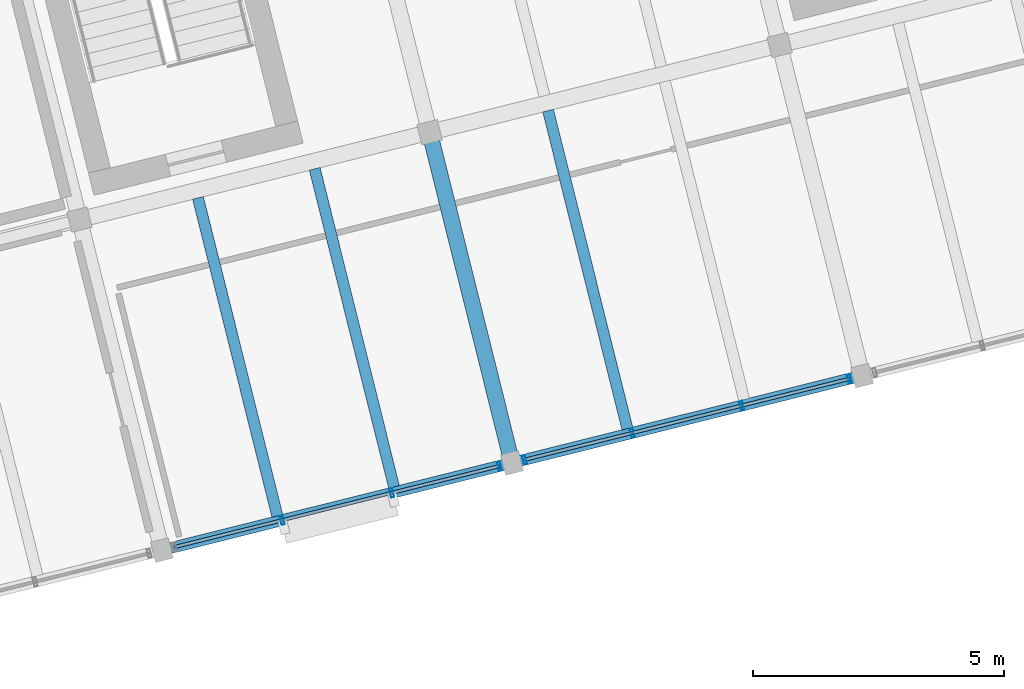
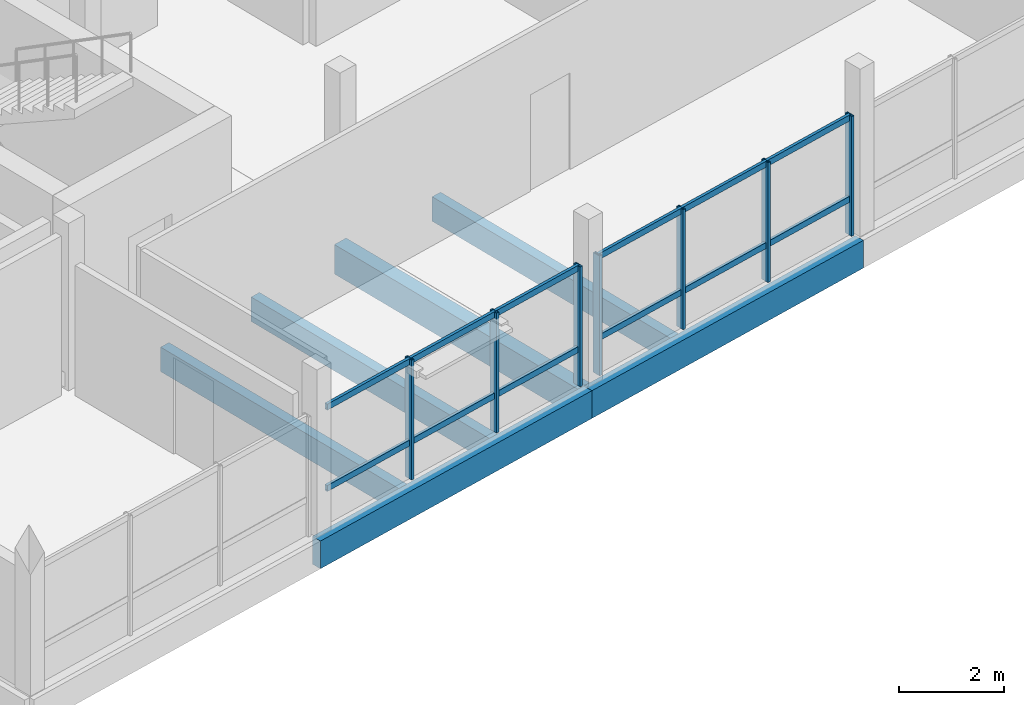
# One storey, part 4 of 28: 19 members, 6 beams, 2 elements without a shape of their own.
"""IFC4 building model written with IfcOpenShell, lengths in metres."""

import ifcopenshell
import ifcopenshell.guid

model = None  # the IFC model being written
_history = None  # IfcOwnerHistory: only IFC2X3 demands one
_inside = {}  # id of a spatial element -> (the spatial element, [elements in it])
_under = {}  # id of a project, library or spatial element -> (it, [spatial elements below it])
_declared = {}  # id of a project -> (the project, [libraries it declares])
_typed = {}  # id of a type object -> (the type object, [elements of that type])
_made_of = {}  # id of a material, layer set ... -> (it, [elements and type objects made of it])


def new_model(schema):
    """Start an empty IFC model of exactly this schema.

    Asked for "IFC4X3", IfcOpenShell would pick the latest addendum, in which some entities
    have other attributes; the version numbers below select the first issue.
    IFC2X3 requires an IfcOwnerHistory on every rooted entity: one is made here for all.
    """
    global model, _history
    if schema == "IFC4X3":
        model = ifcopenshell.file(schema_version=(4, 3, 0, 0))
    else:
        model = ifcopenshell.file(schema=schema)
    _inside.clear()
    _under.clear()
    _declared.clear()
    _typed.clear()
    _made_of.clear()
    _history = None
    if model.schema == "IFC2X3":
        org = make("IfcOrganization", Name="unknown")
        user = make(
            "IfcPersonAndOrganization",
            ThePerson=make("IfcPerson", FamilyName="unknown"),
            TheOrganization=org,
        )
        app = make(
            "IfcApplication",
            ApplicationDeveloper=org,
            Version="unknown",
            ApplicationFullName="unknown",
            ApplicationIdentifier="unknown",
        )
        _history = make(
            "IfcOwnerHistory",
            OwningUser=user,
            OwningApplication=app,
            ChangeAction="ADDED",
            CreationDate=0,
        )
    return model


def make(cls, **values):
    """One entity of the class cls with the attributes given. An attribute that is None is left unset."""
    return model.create_entity(
        cls, **{name: value for name, value in values.items() if value is not None}
    )


def rooted(cls, **values):
    """An entity with a GlobalId (a new one), such as an element, a storey or a relation."""
    return make(cls, GlobalId=ifcopenshell.guid.new(), OwnerHistory=_history, **values)


def si_unit(unit_type, name, prefix=None):
    """IfcSIUnit, for example si_unit("LENGTHUNIT", "METRE", prefix="MILLI")."""
    return make("IfcSIUnit", UnitType=unit_type, Prefix=prefix, Name=name)


def assignment(units):
    """IfcUnitAssignment: the units of a project."""
    return None if units is None else make("IfcUnitAssignment", Units=units)


def point(xyz):
    """IfcCartesianPoint."""
    return None if xyz is None else make("IfcCartesianPoint", Coordinates=xyz)


def direction(xyz):
    """IfcDirection."""
    return None if xyz is None else make("IfcDirection", DirectionRatios=xyz)


def frame(location, z_axis=None, x_axis=None):
    """IfcAxis2Placement3D, a coordinate frame: its origin and axes. An axis left out is left unset."""
    return make(
        "IfcAxis2Placement3D",
        Location=point(location),
        Axis=direction(z_axis),
        RefDirection=direction(x_axis),
    )


def frame_2d(location, x_axis=None):
    """IfcAxis2Placement2D, a coordinate frame in the plane: its origin and x axis."""
    return make(
        "IfcAxis2Placement2D", Location=point(location), RefDirection=direction(x_axis)
    )


def origin():
    """The frame at (0, 0, 0) with its axes left unset."""
    return frame((0.0, 0.0, 0.0))


def origin_2d():
    """The frame at (0, 0) in the plane with its x axis left unset."""
    return frame_2d((0.0, 0.0))


def place(relative_to, where):
    """IfcLocalPlacement: puts the frame where relative to a parent placement (None: the world)."""
    return make(
        "IfcLocalPlacement", PlacementRelTo=relative_to, RelativePlacement=where
    )


def context(
    kind, dimensions, precision=None, world=None, true_north=None, identifier=None
):
    """IfcGeometricRepresentationContext, for example the 3D "Model" context."""
    return make(
        "IfcGeometricRepresentationContext",
        ContextIdentifier=identifier,
        ContextType=kind,
        CoordinateSpaceDimension=dimensions,
        Precision=precision,
        WorldCoordinateSystem=world,
        TrueNorth=true_north,
    )


def subcontext(parent, identifier, kind, view, scale=None):
    """IfcGeometricRepresentationSubContext, for example "Body" below "Model"."""
    return make(
        "IfcGeometricRepresentationSubContext",
        ContextIdentifier=identifier,
        ContextType=kind,
        ParentContext=parent,
        TargetScale=scale,
        TargetView=view,
    )


def project(units=None, contexts=None):
    """IfcProject with its units and contexts."""
    return rooted(
        "IfcProject",
        Name="project",
        RepresentationContexts=contexts,
        UnitsInContext=assignment(units),
    )


def spatial(cls, under=None, at=None, **own):
    """A site, building, storey or space (cls), placed at a placement, below another one or the project."""
    s = rooted(cls, ObjectPlacement=at, **own)
    if under is not None:
        _under.setdefault(under.id(), (under, []))[1].append(s)
    return s


def profile(cls, at=None, kind="AREA", **sizes):
    """A parametric profile (cls). Its sizes go by their IFC names, for example OverallWidth=200.0."""
    return make(cls, ProfileType=kind, Position=at, **sizes)


def rectangle(**sizes):
    """IfcRectangleProfileDef."""
    return profile("IfcRectangleProfileDef", **sizes)


def hollow_rectangle(**sizes):
    """IfcRectangleHollowProfileDef."""
    return profile("IfcRectangleHollowProfileDef", **sizes)


def extrude(swept, where, along, depth):
    """IfcExtrudedAreaSolid: the profile swept, set in the frame where, extruded along a direction by depth."""
    return make(
        "IfcExtrudedAreaSolid",
        SweptArea=swept,
        Position=where,
        ExtrudedDirection=direction(along),
        Depth=depth,
    )


def shape(context_of_items, identifier, shape_type, items):
    """IfcShapeRepresentation: the items that make up one representation, for example the "Body"."""
    return make(
        "IfcShapeRepresentation",
        ContextOfItems=context_of_items,
        RepresentationIdentifier=identifier,
        RepresentationType=shape_type,
        Items=items,
    )


def material(Name=None, Category=None):
    """IfcMaterial."""
    return make("IfcMaterial", Name=Name, Category=Category)


def layer(
    of_material, thickness, ventilated=None, Name=None, Category=None, Priority=None
):
    """IfcMaterialLayer: one layer of a wall or slab, of a material (None: an air gap)."""
    return make(
        "IfcMaterialLayer",
        Material=of_material,
        LayerThickness=thickness,
        IsVentilated=ventilated,
        Name=Name,
        Category=Category,
        Priority=Priority,
    )


def layer_set(layers, Name=None):
    """IfcMaterialLayerSet."""
    return make("IfcMaterialLayerSet", MaterialLayers=layers, LayerSetName=Name)


def material_profile(
    of_material, cross_section, Name=None, Category=None, Priority=None
):
    """IfcMaterialProfile: a cross section and its material."""
    return make(
        "IfcMaterialProfile",
        Name=Name,
        Material=of_material,
        Profile=cross_section,
        Priority=Priority,
        Category=Category,
    )


def profile_set(profiles, Name=None, composite=None):
    """IfcMaterialProfileSet."""
    return make(
        "IfcMaterialProfileSet",
        Name=Name,
        MaterialProfiles=profiles,
        CompositeProfile=composite,
    )


def made_of(thing, what):
    """Note that an element or type object is made of a material, layer set ...; save() writes the relation."""
    if what is not None:
        _made_of.setdefault(what.id(), (what, []))[1].append(thing)
    return thing


def type_object(cls, material=None, **own):
    """A type object (cls), such as IfcWallType, which elements share."""
    return made_of(rooted(cls, **own), material)


def element(
    cls,
    number,
    at=None,
    inside=None,
    cuts=None,
    type_object=None,
    material=None,
    context=None,
    identifier="Body",
    shape_type=None,
    held_by="IfcProductDefinitionShape",
    body=None,
    shapes=None,
    **own,
):
    """One element of the class cls, such as IfcWall. Its Tag is "e" and its number.

    at: its placement. inside: the storey or other place that contains it. cuts: it is an
    opening in that element (IfcRelVoidsElement). A single representation is given by context,
    identifier, shape_type and body (its items); several are given by shapes. held_by: the class
    of the entity that holds the representations. save() writes the other relations.
    """
    e = rooted(cls, Tag="e%d" % number, ObjectPlacement=at, **own)
    if body is not None:
        shapes = [shape(context, identifier, shape_type, body)]
    if shapes is not None:
        e.Representation = make(held_by, Representations=shapes)
    if inside is not None:
        _inside.setdefault(inside.id(), (inside, []))[1].append(e)
    if cuts is not None:
        rooted(
            "IfcRelVoidsElement", RelatingBuildingElement=cuts, RelatedOpeningElement=e
        )
    if type_object is not None:
        _typed.setdefault(type_object.id(), (type_object, []))[1].append(e)
    return made_of(e, material)


def aggregate(whole, parts):
    """IfcRelAggregates: a whole, such as a stair, and the parts it consists of."""
    return rooted("IfcRelAggregates", RelatingObject=whole, RelatedObjects=parts)


def save(model, path):
    """Write the relations noted so far, then the file.

    IfcRelAggregates (storeys below a building ...), IfcRelContainedInSpatialStructure (elements
    in a storey), IfcRelDefinesByType, IfcRelAssociatesMaterial and IfcRelDeclares: one each for
    every whole, place, type object, material and project.
    """
    for whole, parts in _under.values():
        aggregate(whole, parts)
    for where, things in _inside.values():
        rooted(
            "IfcRelContainedInSpatialStructure",
            RelatedElements=things,
            RelatingStructure=where,
        )
    for kind, things in _typed.values():
        rooted("IfcRelDefinesByType", RelatedObjects=things, RelatingType=kind)
    for what, things in _made_of.values():
        rooted("IfcRelAssociatesMaterial", RelatedObjects=things, RelatingMaterial=what)
    for by, libraries in _declared.values():
        rooted("IfcRelDeclares", RelatingContext=by, RelatedDefinitions=libraries)
    model.write(path)


model = new_model("IFC4")

# Units and contexts
model_context = context("Model", 3, precision=1e-05, world=origin(), true_north=direction((0.0, 1.0)))
body_context = subcontext(model_context, "Body", "Model", "MODEL_VIEW")
ifc_project = project(units=[si_unit("LENGTHUNIT", "METRE"), si_unit("AREAUNIT", "SQUARE_METRE"), si_unit("VOLUMEUNIT", "CUBIC_METRE"), si_unit("PLANEANGLEUNIT", "RADIAN"), si_unit("MASSUNIT", "GRAM", prefix="KILO")], contexts=[model_context])

# Site, building, storey
site_placement = place(None, origin())
site = spatial("IfcSite", under=ifc_project, at=site_placement, CompositionType="ELEMENT")
building_placement = place(site_placement, origin())
building = spatial("IfcBuilding", under=site, at=building_placement, Name="Meriwether Solvik Hall", CompositionType="ELEMENT")
storey_placement = place(building_placement, frame((0.0, 0.0, 30.0)))
storey = spatial("IfcBuildingStorey", under=building, at=storey_placement, Name="L07", CompositionType="ELEMENT", Elevation=30.0)

# Beams
ifc_material_1 = material(Name="Glulam Douglas-Fir 24F-V8 GL28h", Category="wood")
ifc_material_profile_1 = material_profile(ifc_material_1, rectangle(XDim=0.221923828125, YDim=0.64501953125, at=origin_2d()), Name="GLB-222X645")
ifc_profile_set_1 = profile_set([ifc_material_profile_1], Name="Glulam Douglas-Fir 24F-V8 GL28h")
beam_type_1 = type_object("IfcBeamType", Name="BM-GL-222X645", PredefinedType="SPANDREL", material=ifc_profile_set_1)
for number, where, z_axis, x_axis, name in (
    (1, (75.974365234375, 43.03857421875, -0.54248046875), (0.970291911955, 0.241937193493, 0.0), (-0.241937193493, 0.970291911955, 0.0), "Tower Girder TA:T2-T3 (L07)"),
    (2, (82.96044921875, 44.780517578125, -0.54248046875), (0.970299871507, 0.241905269381, 0.0), (-0.241905269381, 0.970299871507, 0.0), "Tower Girder TA:T3-T4 (L07)"),
):
    element("IfcBeam", number, at=place(storey_placement, frame(where, z_axis=z_axis, x_axis=x_axis)), inside=storey, type_object=beam_type_1, Name=name, PredefinedType="SPANDREL", context=body_context, shape_type="SweptSolid", body=[
        extrude(rectangle(XDim=0.221923828125, YDim=0.64501953125, at=origin_2d()), origin(), (0.0, 0.0, 1.0), 7.199951171875),
    ])
ifc_material_2 = material(Name="Glulam Douglas-Fir 24F-V8 GL28h", Category="wood")
ifc_material_profile_2 = material_profile(ifc_material_2, rectangle(XDim=0.31494140625, YDim=0.68505859375, at=origin_2d()), Name="GLB-315X685")
ifc_profile_set_2 = profile_set([ifc_material_profile_2], Name="Glulam Douglas-Fir 24F-V8 GL28h")
beam_type_2 = type_object("IfcBeamType", Name="BM-GL-315X685", PredefinedType="BEAM", material=ifc_profile_set_2)
beam_placement = place(storey_placement, frame((82.96044921875, 44.780517578125, -0.5625), z_axis=(-0.241918877831, 0.970296478685, 0.0), x_axis=(-0.970296478685, -0.241918877831, 0.0)))
element("IfcBeam", 3, at=beam_placement, inside=storey, type_object=beam_type_2, Name="Tower Girder T3:TA-TB (L07)", PredefinedType="BEAM", context=body_context, shape_type="SweptSolid", body=[
    extrude(rectangle(XDim=0.31494140625, YDim=0.68505859375, at=origin_2d()), origin(), (0.0, 0.0, 1.0), 6.7998046875),
])

# Curtain wall, members
ifc_material_3 = material(Name="Thermally Broken Anodised Aluminium 6063-T6 and Low-E Glass", Category="aluminium")
ifc_layer_1 = layer(ifc_material_3, 0.179931640625)
ifc_layer_set_1 = layer_set([ifc_layer_1], Name="Thermally Broken Anodised Aluminium 6063-T6 and Low-E Glass")
curtain_wall_type_1 = type_object("IfcCurtainWallType", Name="CW-UNIT-F", PredefinedType="USERDEFINED", material=ifc_layer_set_1)
curtain_wall_1_placement = place(storey_placement, origin())
curtain_wall_1 = element("IfcCurtainWall", 4, at=curtain_wall_1_placement, inside=storey, type_object=curtain_wall_type_1, Name="Curtain Wall E0_B1 (L07)", ObjectType="UNITISED CURTAIN WALL", PredefinedType="USERDEFINED")
ifc_material_4 = material(Name="Anodised Aluminium 6063-T6", Category="aluminium")
ifc_material_profile_3 = material_profile(ifc_material_4, hollow_rectangle(XDim=0.06494140625, YDim=0.179931640625, WallThickness=0.00439453125, at=origin_2d()), Name="CWM-65X180")
ifc_profile_set_3 = profile_set([ifc_material_profile_3], Name="Anodised Aluminium 6063-T6")
member_type_1 = type_object("IfcMemberType", Name="CW-MUL-65X180", PredefinedType="MULLION", material=ifc_profile_set_3)
member_1_placement = place(storey_placement, frame((82.7080078125, 44.717529296875, 0.0), z_axis=(0.0, 0.0, 1.0), x_axis=(-0.970295738259, -0.241921847539, 0.0)))
member_1 = element("IfcMember", 5, at=member_1_placement, type_object=member_type_1, Name="Curtain Wall Mullion 1", PredefinedType="MULLION", context=body_context, shape_type="SweptSolid", body=[
    extrude(hollow_rectangle(XDim=0.06494140625, YDim=0.179931640625, WallThickness=0.00439453125, at=origin_2d()), origin(), (0.0, 0.0, 1.0), 2.7900390625),
])
member_2_placement = place(storey_placement, frame((80.559814453125, 44.181884765625, 0.0), z_axis=(0.0, 0.0, 1.0), x_axis=(-0.970295738259, -0.241921847539, 0.0)))
member_2 = element("IfcMember", 6, at=member_2_placement, type_object=member_type_1, Name="Curtain Wall Mullion 2", PredefinedType="MULLION", context=body_context, shape_type="SweptSolid", body=[
    extrude(hollow_rectangle(XDim=0.06494140625, YDim=0.179931640625, WallThickness=0.00439453125, at=origin_2d()), origin(), (0.0, 0.0, 1.0), 2.7900390625),
])
member_3_placement = place(storey_placement, frame((78.374755859375, 43.63720703125, 0.0), z_axis=(0.0, 0.0, 1.0), x_axis=(-0.970295738259, -0.241921847539, 0.0)))
member_3 = element("IfcMember", 7, at=member_3_placement, type_object=member_type_1, Name="Curtain Wall Mullion 3", PredefinedType="MULLION", context=body_context, shape_type="SweptSolid", body=[
    extrude(hollow_rectangle(XDim=0.06494140625, YDim=0.179931640625, WallThickness=0.00439453125, at=origin_2d()), origin(), (0.0, 0.0, 1.0), 2.7900390625),
])

ifc_material_5 = material(Name="Thermally Broken Anodised Aluminium 6063-T6 and Low-E Glass", Category="aluminium")
ifc_layer_2 = layer(ifc_material_5, 0.179931640625)
ifc_layer_set_2 = layer_set([ifc_layer_2], Name="Thermally Broken Anodised Aluminium 6063-T6 and Low-E Glass")
curtain_wall_type_2 = type_object("IfcCurtainWallType", Name="CW-UNIT-G", PredefinedType="USERDEFINED", material=ifc_layer_set_2)
curtain_wall_2_placement = place(storey_placement, origin())
curtain_wall_2 = element("IfcCurtainWall", 8, at=curtain_wall_2_placement, inside=storey, type_object=curtain_wall_type_2, Name="Curtain Wall E0_B2 (L07)", ObjectType="UNITISED CURTAIN WALL", PredefinedType="USERDEFINED")
member_4_placement = place(storey_placement, frame((89.6943359375, 46.45947265625, 0.0), z_axis=(0.0, 0.0, 1.0), x_axis=(-0.970295738259, -0.241921847539, 0.0)))
member_4 = element("IfcMember", 9, at=member_4_placement, type_object=member_type_1, Name="Curtain Wall Mullion 1", PredefinedType="MULLION", context=body_context, shape_type="SweptSolid", body=[
    extrude(hollow_rectangle(XDim=0.06494140625, YDim=0.179931640625, WallThickness=0.00439453125, at=origin_2d()), origin(), (0.0, 0.0, 1.0), 2.7900390625),
])
member_5_placement = place(storey_placement, frame((87.5458984375, 45.923828125, 0.0), z_axis=(0.0, 0.0, 1.0), x_axis=(-0.970295738259, -0.241921847539, 0.0)))
member_5 = element("IfcMember", 10, at=member_5_placement, type_object=member_type_1, Name="Curtain Wall Mullion 2", PredefinedType="MULLION", context=body_context, shape_type="SweptSolid", body=[
    extrude(hollow_rectangle(XDim=0.06494140625, YDim=0.179931640625, WallThickness=0.00439453125, at=origin_2d()), origin(), (0.0, 0.0, 1.0), 2.7900390625),
])
member_6_placement = place(storey_placement, frame((85.36083984375, 45.37890625, 0.0), z_axis=(0.0, 0.0, 1.0), x_axis=(-0.970295738259, -0.241921847539, 0.0)))
member_6 = element("IfcMember", 11, at=member_6_placement, type_object=member_type_1, Name="Curtain Wall Mullion 3", PredefinedType="MULLION", context=body_context, shape_type="SweptSolid", body=[
    extrude(hollow_rectangle(XDim=0.06494140625, YDim=0.179931640625, WallThickness=0.00439453125, at=origin_2d()), origin(), (0.0, 0.0, 1.0), 2.7900390625),
])
member_7_placement = place(storey_placement, frame((83.212646484375, 44.84326171875, 0.0), z_axis=(0.0, 0.0, 1.0), x_axis=(-0.970295738259, -0.241921847539, 0.0)))
member_7 = element("IfcMember", 12, at=member_7_placement, type_object=member_type_1, Name="Curtain Wall Mullion 4", PredefinedType="MULLION", context=body_context, shape_type="SweptSolid", body=[
    extrude(hollow_rectangle(XDim=0.06494140625, YDim=0.179931640625, WallThickness=0.00439453125, at=origin_2d()), origin(), (0.0, 0.0, 1.0), 2.7900390625),
])

# Member
ifc_material_6 = material(Name="Anodised Aluminium 6063-T6", Category="aluminium")
ifc_material_profile_4 = material_profile(ifc_material_6, hollow_rectangle(XDim=0.06494140625, YDim=0.139892578125, WallThickness=0.00439453125, at=origin_2d()), Name="CWT-65X140")
ifc_profile_set_4 = profile_set([ifc_material_profile_4], Name="Anodised Aluminium 6063-T6")
member_type_2 = type_object("IfcMemberType", Name="CW-TRN-65X140", PredefinedType="USERDEFINED", material=ifc_profile_set_4)
member_8_placement = place(storey_placement, frame((82.7080078125, 44.717529296875, 0.8369140625), z_axis=(-0.970291509385, -0.241938808, 0.0), x_axis=(0.241938808, -0.970291509385, 0.0)))
member_8 = element("IfcMember", 13, at=member_8_placement, type_object=member_type_2, Name="Curtain Wall Transom 1-sill", ObjectType="TRANSOM", PredefinedType="USERDEFINED", context=body_context, shape_type="SweptSolid", body=[
    extrude(hollow_rectangle(XDim=0.06494140625, YDim=0.139892578125, WallThickness=0.00439453125, at=origin_2d()), origin(), (0.0, 0.0, 1.0), 2.2138671875),
])

member_9_placement = place(storey_placement, frame((82.7080078125, 44.717529296875, 2.72998046875), z_axis=(-0.970291509385, -0.241938808, 0.0), x_axis=(0.241938808, -0.970291509385, 0.0)))
member_9 = element("IfcMember", 14, at=member_9_placement, type_object=member_type_2, Name="Curtain Wall Transom 1-head", ObjectType="TRANSOM", PredefinedType="USERDEFINED", context=body_context, shape_type="SweptSolid", body=[
    extrude(hollow_rectangle(XDim=0.06494140625, YDim=0.139892578125, WallThickness=0.00439453125, at=origin_2d()), origin(), (0.0, 0.0, 1.0), 2.2138671875),
])

member_10_placement = place(storey_placement, frame((80.559814453125, 44.181884765625, 0.8369140625), z_axis=(-0.970308083555, -0.241872327867, 0.0), x_axis=(0.241872327867, -0.970308083555, 0.0)))
member_10 = element("IfcMember", 15, at=member_10_placement, type_object=member_type_2, Name="Curtain Wall Transom 2-sill", ObjectType="TRANSOM", PredefinedType="USERDEFINED", context=body_context, shape_type="SweptSolid", body=[
    extrude(hollow_rectangle(XDim=0.06494140625, YDim=0.139892578125, WallThickness=0.00439453125, at=origin_2d()), origin(), (0.0, 0.0, 1.0), 2.251953125),
])

member_11_placement = place(storey_placement, frame((80.559814453125, 44.181884765625, 2.72998046875), z_axis=(-0.970308083555, -0.241872327867, 0.0), x_axis=(0.241872327867, -0.970308083555, 0.0)))
member_11 = element("IfcMember", 16, at=member_11_placement, type_object=member_type_2, Name="Curtain Wall Transom 2-head", ObjectType="TRANSOM", PredefinedType="USERDEFINED", context=body_context, shape_type="SweptSolid", body=[
    extrude(hollow_rectangle(XDim=0.06494140625, YDim=0.139892578125, WallThickness=0.00439453125, at=origin_2d()), origin(), (0.0, 0.0, 1.0), 2.251953125),
])

member_12_placement = place(storey_placement, frame((78.374755859375, 43.63720703125, 0.8369140625), z_axis=(-0.970291509385, -0.241938808, 0.0), x_axis=(0.241938808, -0.970291509385, 0.0)))
member_12 = element("IfcMember", 17, at=member_12_placement, type_object=member_type_2, Name="Curtain Wall Transom 3-sill", ObjectType="TRANSOM", PredefinedType="USERDEFINED", context=body_context, shape_type="SweptSolid", body=[
    extrude(hollow_rectangle(XDim=0.06494140625, YDim=0.139892578125, WallThickness=0.00439453125, at=origin_2d()), origin(), (0.0, 0.0, 1.0), 2.2138671875),
])

member_13_placement = place(storey_placement, frame((78.374755859375, 43.63720703125, 2.72998046875), z_axis=(-0.970291509385, -0.241938808, 0.0), x_axis=(0.241938808, -0.970291509385, 0.0)))
member_13 = element("IfcMember", 18, at=member_13_placement, type_object=member_type_2, Name="Curtain Wall Transom 3-head", ObjectType="TRANSOM", PredefinedType="USERDEFINED", context=body_context, shape_type="SweptSolid", body=[
    extrude(hollow_rectangle(XDim=0.06494140625, YDim=0.139892578125, WallThickness=0.00439453125, at=origin_2d()), origin(), (0.0, 0.0, 1.0), 2.2138671875),
])

aggregate(curtain_wall_1, [member_1, member_2, member_3, member_8, member_9, member_10, member_11, member_12, member_13])

member_14_placement = place(storey_placement, frame((89.6943359375, 46.45947265625, 0.8369140625), z_axis=(-0.970297963107, -0.241912923984, 0.0), x_axis=(0.241912923984, -0.970297963107, 0.0)))
member_14 = element("IfcMember", 19, at=member_14_placement, type_object=member_type_2, Name="Curtain Wall Transom 1-sill", ObjectType="TRANSOM", PredefinedType="USERDEFINED", context=body_context, shape_type="SweptSolid", body=[
    extrude(hollow_rectangle(XDim=0.06494140625, YDim=0.139892578125, WallThickness=0.00439453125, at=origin_2d()), origin(), (0.0, 0.0, 1.0), 2.214111328125),
])

member_15_placement = place(storey_placement, frame((89.6943359375, 46.45947265625, 2.72998046875), z_axis=(-0.970297963107, -0.241912923984, 0.0), x_axis=(0.241912923984, -0.970297963107, 0.0)))
member_15 = element("IfcMember", 20, at=member_15_placement, type_object=member_type_2, Name="Curtain Wall Transom 1-head", ObjectType="TRANSOM", PredefinedType="USERDEFINED", context=body_context, shape_type="SweptSolid", body=[
    extrude(hollow_rectangle(XDim=0.06494140625, YDim=0.139892578125, WallThickness=0.00439453125, at=origin_2d()), origin(), (0.0, 0.0, 1.0), 2.214111328125),
])

member_16_placement = place(storey_placement, frame((87.5458984375, 45.923828125, 0.8369140625), z_axis=(-0.970282635026, -0.241974395685, 0.0), x_axis=(0.241974395685, -0.970282635026, 0.0)))
member_16 = element("IfcMember", 21, at=member_16_placement, type_object=member_type_2, Name="Curtain Wall Transom 2-sill", ObjectType="TRANSOM", PredefinedType="USERDEFINED", context=body_context, shape_type="SweptSolid", body=[
    extrude(hollow_rectangle(XDim=0.06494140625, YDim=0.139892578125, WallThickness=0.00439453125, at=origin_2d()), origin(), (0.0, 0.0, 1.0), 2.251953125),
])

member_17_placement = place(storey_placement, frame((87.5458984375, 45.923828125, 2.72998046875), z_axis=(-0.970282635026, -0.241974395685, 0.0), x_axis=(0.241974395685, -0.970282635026, 0.0)))
member_17 = element("IfcMember", 22, at=member_17_placement, type_object=member_type_2, Name="Curtain Wall Transom 2-head", ObjectType="TRANSOM", PredefinedType="USERDEFINED", context=body_context, shape_type="SweptSolid", body=[
    extrude(hollow_rectangle(XDim=0.06494140625, YDim=0.139892578125, WallThickness=0.00439453125, at=origin_2d()), origin(), (0.0, 0.0, 1.0), 2.251953125),
])

member_18_placement = place(storey_placement, frame((85.36083984375, 45.37890625, 0.8369140625), z_axis=(-0.970291509385, -0.241938808, 0.0), x_axis=(0.241938808, -0.970291509385, 0.0)))
member_18 = element("IfcMember", 23, at=member_18_placement, type_object=member_type_2, Name="Curtain Wall Transom 3-sill", ObjectType="TRANSOM", PredefinedType="USERDEFINED", context=body_context, shape_type="SweptSolid", body=[
    extrude(hollow_rectangle(XDim=0.06494140625, YDim=0.139892578125, WallThickness=0.00439453125, at=origin_2d()), origin(), (0.0, 0.0, 1.0), 2.2138671875),
])

member_19_placement = place(storey_placement, frame((85.36083984375, 45.37890625, 2.72998046875), z_axis=(-0.970291509385, -0.241938808, 0.0), x_axis=(0.241938808, -0.970291509385, 0.0)))
member_19 = element("IfcMember", 24, at=member_19_placement, type_object=member_type_2, Name="Curtain Wall Transom 3-head", ObjectType="TRANSOM", PredefinedType="USERDEFINED", context=body_context, shape_type="SweptSolid", body=[
    extrude(hollow_rectangle(XDim=0.06494140625, YDim=0.139892578125, WallThickness=0.00439453125, at=origin_2d()), origin(), (0.0, 0.0, 1.0), 2.2138671875),
])

aggregate(curtain_wall_2, [member_4, member_5, member_6, member_7, member_14, member_15, member_16, member_17, member_18, member_19])

# Beams
ifc_material_7 = material(Name="Glulam Douglas-Fir 24F-V8 GL28h", Category="wood")
ifc_material_profile_5 = material_profile(ifc_material_7, rectangle(XDim=0.221923828125, YDim=0.570068359375, at=origin_2d()), Name="GLJ-222X570")
ifc_profile_set_5 = profile_set([ifc_material_profile_5], Name="Glulam Douglas-Fir 24F-V8 GL28h")
beam_type_3 = type_object("IfcBeamType", Name="JST-GL-222X570", PredefinedType="JOIST", material=ifc_profile_set_5)
for number, where, z_axis, x_axis, name in (
    (25, (78.27734375, 43.72216796875, -0.5048828125), (-0.241920861923, 0.970295984, 0.0), (-0.970295984, -0.241920861923, 0.0), "Glulam Floor Joist T2/TA-J1 (L07)"),
    (26, (80.60595703125, 44.302734375, -0.5048828125), (-0.241920861923, 0.970295984, 0.0), (-0.970295984, -0.241920861923, 0.0), "Glulam Floor Joist T2/TA-J2 (L07)"),
    (27, (85.263427734375, 45.4638671875, -0.5048828125), (-0.241920861923, 0.970295984, 0.0), (-0.970295984, -0.241920861923, 0.0), "Glulam Floor Joist T3/TA-J1 (L07)"),
):
    element("IfcBeam", number, at=place(storey_placement, frame(where, z_axis=z_axis, x_axis=x_axis)), inside=storey, type_object=beam_type_3, Name=name, PredefinedType="JOIST", context=body_context, shape_type="SweptSolid", body=[
        extrude(rectangle(XDim=0.221923828125, YDim=0.570068359375, at=origin_2d()), origin(), (0.0, 0.0, 1.0), 6.54150390625),
    ])

save(model, "model.ifc")
